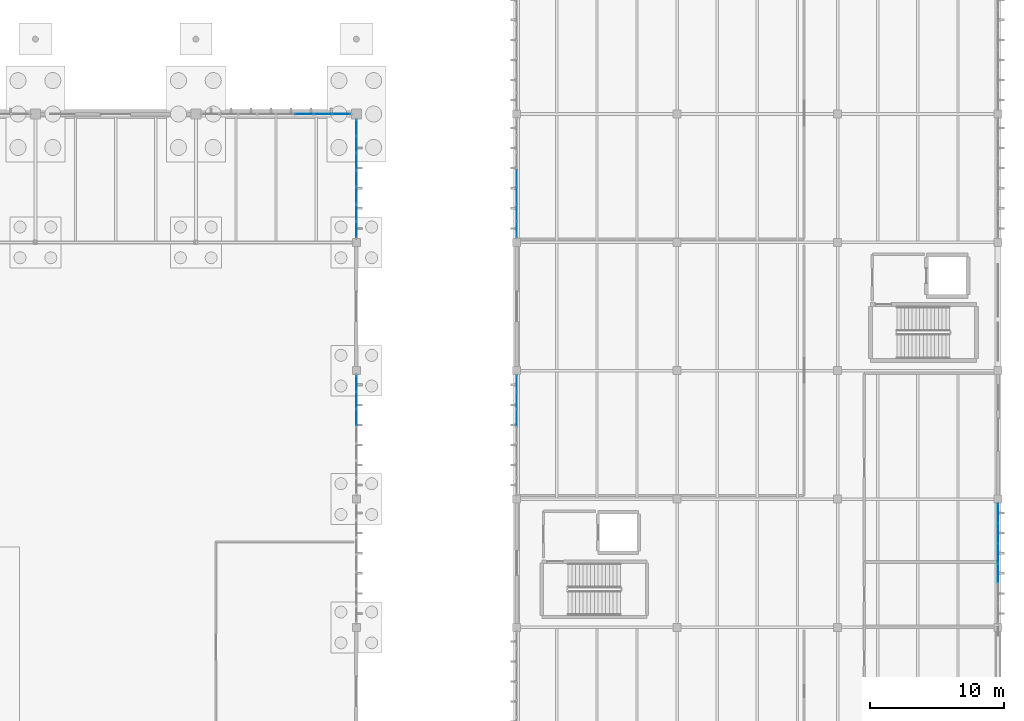
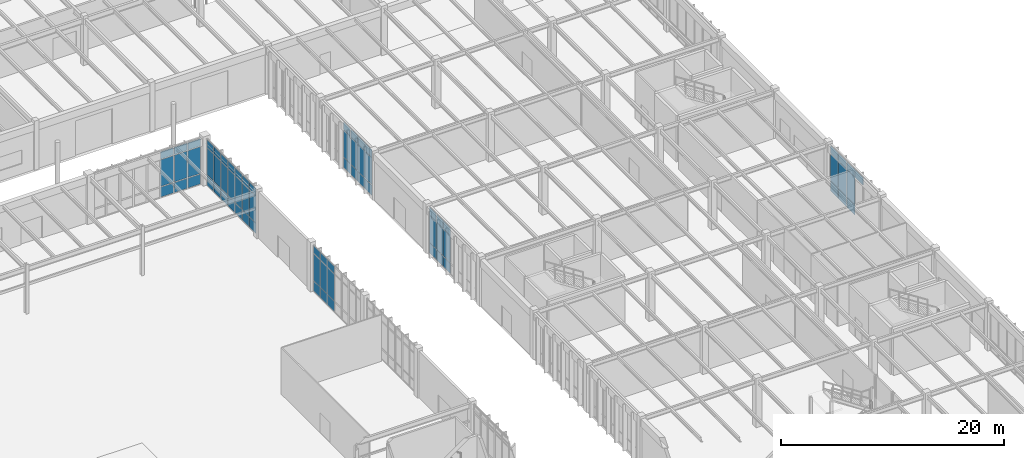
# One storey, part 143 of 188: 70 plates, 6 elements without a shape of their own.
"""IFC4 building model written with IfcOpenShell, lengths in metres."""

from ifc_helpers import new_model, si_unit, direction, frame, origin, origin_2d, place, context, subcontext, project, spatial, rectangle, extrude, material, layer, layer_set, type_object, element, aggregate, save


model = new_model("IFC4")

# Units and contexts
model_context = context("Model", 3, precision=1e-05, world=origin(), true_north=direction((0.0, 1.0)))
body_context = subcontext(model_context, "Body", "Model", "MODEL_VIEW")
ifc_project = project(units=[si_unit("LENGTHUNIT", "METRE"), si_unit("AREAUNIT", "SQUARE_METRE"), si_unit("VOLUMEUNIT", "CUBIC_METRE"), si_unit("PLANEANGLEUNIT", "RADIAN"), si_unit("MASSUNIT", "GRAM", prefix="KILO")], contexts=[model_context])

# Site, building, storey
site_placement = place(None, origin())
site = spatial("IfcSite", under=ifc_project, at=site_placement, CompositionType="ELEMENT")
building_placement = place(site_placement, origin())
building = spatial("IfcBuilding", under=site, at=building_placement, Name="Pandanus Reach Market Hall", CompositionType="ELEMENT")
storey_placement = place(building_placement, origin())
storey = spatial("IfcBuildingStorey", under=building, at=storey_placement, Name="L00", CompositionType="ELEMENT", Elevation=0.0)

# Curtain wall, plates
ifc_material_1 = material(Name="Bronze anodised aluminium and low-E glass", Category="aluminium")
ifc_layer_1 = layer(ifc_material_1, 0.159912109375, Name="CW-25")
ifc_layer_set_1 = layer_set([ifc_layer_1], Name="Bronze anodised aluminium and low-E glass")
curtain_wall_type_1 = type_object("IfcCurtainWallType", Name="CW-25", PredefinedType="NOTDEFINED", material=ifc_layer_set_1)
curtain_wall_1_placement = place(storey_placement, origin())
curtain_wall_1 = element("IfcCurtainWall", 1, at=curtain_wall_1_placement, inside=storey, type_object=curtain_wall_type_1, Name="Glazed curtain wall CW-25 CW-0072", PredefinedType="NOTDEFINED")
ifc_material_2 = material(Name="Solar-control double glazing", Category="glass")
ifc_layer_2 = layer(ifc_material_2, 0.028076171875, Name="CW-P1")
ifc_layer_set_2 = layer_set([ifc_layer_2], Name="Solar-control double glazing")
plate_type_1 = type_object("IfcPlateType", Name="CW-P1", PredefinedType="CURTAIN_PANEL", material=ifc_layer_set_2)
plate_1_placement = place(storey_placement, frame((180.0, 52.050048828125, 4.232421875), z_axis=(0.0, 0.0, 1.0), x_axis=(0.0, 1.0, 0.0)))
plate_1 = element("IfcPlate", 2, at=plate_1_placement, type_object=plate_type_1, Name="CW-25 panel 3.3", PredefinedType="CURTAIN_PANEL", context=body_context, shape_type="SweptSolid", body=[
    extrude(rectangle(XDim=1.43505859375, YDim=0.028076171875, at=origin_2d()), origin(), (0.0, 0.0, 1.0), 0.802490234375),
])
plate_2_placement = place(storey_placement, frame((180.0, 53.550048828125, 0.06494140625), z_axis=(0.0, 0.0, 1.0), x_axis=(0.0, 1.0, 0.0)))
plate_2 = element("IfcPlate", 3, at=plate_2_placement, type_object=plate_type_1, Name="CW-25 panel 4.1", PredefinedType="CURTAIN_PANEL", context=body_context, shape_type="SweptSolid", body=[
    extrude(rectangle(XDim=1.43505859375, YDim=0.028076171875, at=origin_2d()), origin(), (0.0, 0.0, 1.0), 1.1025390625),
])
plate_3_placement = place(storey_placement, frame((180.0, 53.550048828125, 1.232421875), z_axis=(0.0, 0.0, 1.0), x_axis=(0.0, 1.0, 0.0)))
plate_3 = element("IfcPlate", 4, at=plate_3_placement, type_object=plate_type_1, Name="CW-25 panel 4.2", PredefinedType="CURTAIN_PANEL", context=body_context, shape_type="SweptSolid", body=[
    extrude(rectangle(XDim=1.43505859375, YDim=0.028076171875, at=origin_2d()), origin(), (0.0, 0.0, 1.0), 2.93505859375),
])
plate_4_placement = place(storey_placement, frame((180.0, 53.550048828125, 4.232421875), z_axis=(0.0, 0.0, 1.0), x_axis=(0.0, 1.0, 0.0)))
plate_4 = element("IfcPlate", 5, at=plate_4_placement, type_object=plate_type_1, Name="CW-25 panel 4.3", PredefinedType="CURTAIN_PANEL", context=body_context, shape_type="SweptSolid", body=[
    extrude(rectangle(XDim=1.43505859375, YDim=0.028076171875, at=origin_2d()), origin(), (0.0, 0.0, 1.0), 0.802490234375),
])
plate_5_placement = place(storey_placement, frame((180.0, 55.050048828125, 0.06494140625), z_axis=(0.0, 0.0, 1.0), x_axis=(0.0, 1.0, 0.0)))
plate_5 = element("IfcPlate", 6, at=plate_5_placement, type_object=plate_type_1, Name="CW-25 panel 5.1", PredefinedType="CURTAIN_PANEL", context=body_context, shape_type="SweptSolid", body=[
    extrude(rectangle(XDim=1.43505859375, YDim=0.028076171875, at=origin_2d()), origin(), (0.0, 0.0, 1.0), 1.1025390625),
])
plate_6_placement = place(storey_placement, frame((180.0, 55.050048828125, 1.232421875), z_axis=(0.0, 0.0, 1.0), x_axis=(0.0, 1.0, 0.0)))
plate_6 = element("IfcPlate", 7, at=plate_6_placement, type_object=plate_type_1, Name="CW-25 panel 5.2", PredefinedType="CURTAIN_PANEL", context=body_context, shape_type="SweptSolid", body=[
    extrude(rectangle(XDim=1.43505859375, YDim=0.028076171875, at=origin_2d()), origin(), (0.0, 0.0, 1.0), 2.93505859375),
])
plate_7_placement = place(storey_placement, frame((180.0, 55.050048828125, 4.232421875), z_axis=(0.0, 0.0, 1.0), x_axis=(0.0, 1.0, 0.0)))
plate_7 = element("IfcPlate", 8, at=plate_7_placement, type_object=plate_type_1, Name="CW-25 panel 5.3", PredefinedType="CURTAIN_PANEL", context=body_context, shape_type="SweptSolid", body=[
    extrude(rectangle(XDim=1.43505859375, YDim=0.028076171875, at=origin_2d()), origin(), (0.0, 0.0, 1.0), 0.802490234375),
])
plate_8_placement = place(storey_placement, frame((180.0, 56.53369140625, 0.06494140625), z_axis=(0.0, 0.0, 1.0), x_axis=(0.0, 1.0, 0.0)))
plate_8 = element("IfcPlate", 9, at=plate_8_placement, type_object=plate_type_1, Name="CW-25 panel 6.1", PredefinedType="CURTAIN_PANEL", context=body_context, shape_type="SweptSolid", body=[
    extrude(rectangle(XDim=1.402587890625, YDim=0.028076171875, at=origin_2d()), origin(), (0.0, 0.0, 1.0), 1.1025390625),
])
plate_9_placement = place(storey_placement, frame((180.0, 56.53369140625, 1.232421875), z_axis=(0.0, 0.0, 1.0), x_axis=(0.0, 1.0, 0.0)))
plate_9 = element("IfcPlate", 10, at=plate_9_placement, type_object=plate_type_1, Name="CW-25 panel 6.2", PredefinedType="CURTAIN_PANEL", context=body_context, shape_type="SweptSolid", body=[
    extrude(rectangle(XDim=1.402587890625, YDim=0.028076171875, at=origin_2d()), origin(), (0.0, 0.0, 1.0), 2.93505859375),
])
plate_10_placement = place(storey_placement, frame((180.0, 56.53369140625, 4.232421875), z_axis=(0.0, 0.0, 1.0), x_axis=(0.0, 1.0, 0.0)))
plate_10 = element("IfcPlate", 11, at=plate_10_placement, type_object=plate_type_1, Name="CW-25 panel 6.3", PredefinedType="CURTAIN_PANEL", context=body_context, shape_type="SweptSolid", body=[
    extrude(rectangle(XDim=1.402587890625, YDim=0.028076171875, at=origin_2d()), origin(), (0.0, 0.0, 1.0), 0.802490234375),
])
aggregate(curtain_wall_1, [plate_1, plate_2, plate_3, plate_4, plate_5, plate_6, plate_7, plate_8, plate_9, plate_10])

ifc_layer_3 = layer(ifc_material_1, 0.159912109375, Name="CW-26")
ifc_layer_set_3 = layer_set([ifc_layer_3], Name="Bronze anodised aluminium and low-E glass")
curtain_wall_type_2 = type_object("IfcCurtainWallType", Name="CW-26", PredefinedType="NOTDEFINED", material=ifc_layer_set_3)
curtain_wall_2_placement = place(storey_placement, origin())
curtain_wall_2 = element("IfcCurtainWall", 12, at=curtain_wall_2_placement, inside=storey, type_object=curtain_wall_type_2, Name="Glazed curtain wall CW-26 CW-0079", PredefinedType="NOTDEFINED")
plate_11_placement = place(storey_placement, frame((144.0, 63.685791015625, 0.06494140625), z_axis=(0.0, 0.0, 1.0), x_axis=(0.0, 1.0, 0.0)))
plate_11 = element("IfcPlate", 13, at=plate_11_placement, type_object=plate_type_1, Name="CW-26 panel 5.1", PredefinedType="CURTAIN_PANEL", context=body_context, shape_type="SweptSolid", body=[
    extrude(rectangle(XDim=1.220703125, YDim=0.028076171875, at=origin_2d()), origin(), (0.0, 0.0, 1.0), 1.1025390625),
])
plate_12_placement = place(storey_placement, frame((144.0, 63.685791015625, 1.232421875), z_axis=(0.0, 0.0, 1.0), x_axis=(0.0, 1.0, 0.0)))
plate_12 = element("IfcPlate", 14, at=plate_12_placement, type_object=plate_type_1, Name="CW-26 panel 5.2", PredefinedType="CURTAIN_PANEL", context=body_context, shape_type="SweptSolid", body=[
    extrude(rectangle(XDim=1.220703125, YDim=0.028076171875, at=origin_2d()), origin(), (0.0, 0.0, 1.0), 2.93505859375),
])
plate_13_placement = place(storey_placement, frame((144.0, 63.685791015625, 4.232421875), z_axis=(0.0, 0.0, 1.0), x_axis=(0.0, 1.0, 0.0)))
plate_13 = element("IfcPlate", 15, at=plate_13_placement, type_object=plate_type_1, Name="CW-26 panel 5.3", PredefinedType="CURTAIN_PANEL", context=body_context, shape_type="SweptSolid", body=[
    extrude(rectangle(XDim=1.220703125, YDim=0.028076171875, at=origin_2d()), origin(), (0.0, 0.0, 1.0), 0.802490234375),
])
plate_14_placement = place(storey_placement, frame((144.0, 64.971435546875, 0.06494140625), z_axis=(0.0, 0.0, 1.0), x_axis=(0.0, 1.0, 0.0)))
plate_14 = element("IfcPlate", 16, at=plate_14_placement, type_object=plate_type_1, Name="CW-26 panel 6.1", PredefinedType="CURTAIN_PANEL", context=body_context, shape_type="SweptSolid", body=[
    extrude(rectangle(XDim=1.220703125, YDim=0.028076171875, at=origin_2d()), origin(), (0.0, 0.0, 1.0), 1.1025390625),
])
plate_15_placement = place(storey_placement, frame((144.0, 64.971435546875, 1.232421875), z_axis=(0.0, 0.0, 1.0), x_axis=(0.0, 1.0, 0.0)))
plate_15 = element("IfcPlate", 17, at=plate_15_placement, type_object=plate_type_1, Name="CW-26 panel 6.2", PredefinedType="CURTAIN_PANEL", context=body_context, shape_type="SweptSolid", body=[
    extrude(rectangle(XDim=1.220703125, YDim=0.028076171875, at=origin_2d()), origin(), (0.0, 0.0, 1.0), 2.93505859375),
])
plate_16_placement = place(storey_placement, frame((144.0, 64.971435546875, 4.232421875), z_axis=(0.0, 0.0, 1.0), x_axis=(0.0, 1.0, 0.0)))
plate_16 = element("IfcPlate", 18, at=plate_16_placement, type_object=plate_type_1, Name="CW-26 panel 6.3", PredefinedType="CURTAIN_PANEL", context=body_context, shape_type="SweptSolid", body=[
    extrude(rectangle(XDim=1.220703125, YDim=0.028076171875, at=origin_2d()), origin(), (0.0, 0.0, 1.0), 0.802490234375),
])
plate_17_placement = place(storey_placement, frame((144.0, 66.240966796875, 0.06494140625), z_axis=(0.0, 0.0, 1.0), x_axis=(0.0, 1.0, 0.0)))
plate_17 = element("IfcPlate", 19, at=plate_17_placement, type_object=plate_type_1, Name="CW-26 panel 7.1", PredefinedType="CURTAIN_PANEL", context=body_context, shape_type="SweptSolid", body=[
    extrude(rectangle(XDim=1.188232421875, YDim=0.028076171875, at=origin_2d()), origin(), (0.0, 0.0, 1.0), 1.1025390625),
])
plate_18_placement = place(storey_placement, frame((144.0, 66.240966796875, 1.232421875), z_axis=(0.0, 0.0, 1.0), x_axis=(0.0, 1.0, 0.0)))
plate_18 = element("IfcPlate", 20, at=plate_18_placement, type_object=plate_type_1, Name="CW-26 panel 7.2", PredefinedType="CURTAIN_PANEL", context=body_context, shape_type="SweptSolid", body=[
    extrude(rectangle(XDim=1.188232421875, YDim=0.028076171875, at=origin_2d()), origin(), (0.0, 0.0, 1.0), 2.93505859375),
])
plate_19_placement = place(storey_placement, frame((144.0, 66.240966796875, 4.232421875), z_axis=(0.0, 0.0, 1.0), x_axis=(0.0, 1.0, 0.0)))
plate_19 = element("IfcPlate", 21, at=plate_19_placement, type_object=plate_type_1, Name="CW-26 panel 7.3", PredefinedType="CURTAIN_PANEL", context=body_context, shape_type="SweptSolid", body=[
    extrude(rectangle(XDim=1.188232421875, YDim=0.028076171875, at=origin_2d()), origin(), (0.0, 0.0, 1.0), 0.802490234375),
])
aggregate(curtain_wall_2, [plate_11, plate_12, plate_13, plate_14, plate_15, plate_16, plate_17, plate_18, plate_19])

curtain_wall_3_placement = place(storey_placement, origin())
curtain_wall_3 = element("IfcCurtainWall", 22, at=curtain_wall_3_placement, inside=storey, type_object=curtain_wall_type_2, Name="Glazed curtain wall CW-26 CW-0080", PredefinedType="NOTDEFINED")
plate_20_placement = place(storey_placement, frame((144.0, 77.759033203125, 0.06494140625), z_axis=(0.0, 0.0, 1.0), x_axis=(0.0, 1.0, 0.0)))
plate_20 = element("IfcPlate", 23, at=plate_20_placement, type_object=plate_type_1, Name="CW-26 panel 1.1", PredefinedType="CURTAIN_PANEL", context=body_context, shape_type="SweptSolid", body=[
    extrude(rectangle(XDim=1.188232421875, YDim=0.028076171875, at=origin_2d()), origin(), (0.0, 0.0, 1.0), 1.1025390625),
])
plate_21_placement = place(storey_placement, frame((144.0, 77.759033203125, 1.232421875), z_axis=(0.0, 0.0, 1.0), x_axis=(0.0, 1.0, 0.0)))
plate_21 = element("IfcPlate", 24, at=plate_21_placement, type_object=plate_type_1, Name="CW-26 panel 1.2", PredefinedType="CURTAIN_PANEL", context=body_context, shape_type="SweptSolid", body=[
    extrude(rectangle(XDim=1.188232421875, YDim=0.028076171875, at=origin_2d()), origin(), (0.0, 0.0, 1.0), 2.93505859375),
])
plate_22_placement = place(storey_placement, frame((144.0, 77.759033203125, 4.232421875), z_axis=(0.0, 0.0, 1.0), x_axis=(0.0, 1.0, 0.0)))
plate_22 = element("IfcPlate", 25, at=plate_22_placement, type_object=plate_type_1, Name="CW-26 panel 1.3", PredefinedType="CURTAIN_PANEL", context=body_context, shape_type="SweptSolid", body=[
    extrude(rectangle(XDim=1.188232421875, YDim=0.028076171875, at=origin_2d()), origin(), (0.0, 0.0, 1.0), 0.802490234375),
])
plate_23_placement = place(storey_placement, frame((144.0, 79.028564453125, 0.06494140625), z_axis=(0.0, 0.0, 1.0), x_axis=(0.0, 1.0, 0.0)))
plate_23 = element("IfcPlate", 26, at=plate_23_placement, type_object=plate_type_1, Name="CW-26 panel 2.1", PredefinedType="CURTAIN_PANEL", context=body_context, shape_type="SweptSolid", body=[
    extrude(rectangle(XDim=1.220703125, YDim=0.028076171875, at=origin_2d()), origin(), (0.0, 0.0, 1.0), 1.1025390625),
])
plate_24_placement = place(storey_placement, frame((144.0, 79.028564453125, 1.232421875), z_axis=(0.0, 0.0, 1.0), x_axis=(0.0, 1.0, 0.0)))
plate_24 = element("IfcPlate", 27, at=plate_24_placement, type_object=plate_type_1, Name="CW-26 panel 2.2", PredefinedType="CURTAIN_PANEL", context=body_context, shape_type="SweptSolid", body=[
    extrude(rectangle(XDim=1.220703125, YDim=0.028076171875, at=origin_2d()), origin(), (0.0, 0.0, 1.0), 2.93505859375),
])
plate_25_placement = place(storey_placement, frame((144.0, 79.028564453125, 4.232421875), z_axis=(0.0, 0.0, 1.0), x_axis=(0.0, 1.0, 0.0)))
plate_25 = element("IfcPlate", 28, at=plate_25_placement, type_object=plate_type_1, Name="CW-26 panel 2.3", PredefinedType="CURTAIN_PANEL", context=body_context, shape_type="SweptSolid", body=[
    extrude(rectangle(XDim=1.220703125, YDim=0.028076171875, at=origin_2d()), origin(), (0.0, 0.0, 1.0), 0.802490234375),
])
plate_26_placement = place(storey_placement, frame((144.0, 80.314208984375, 0.06494140625), z_axis=(0.0, 0.0, 1.0), x_axis=(0.0, 1.0, 0.0)))
plate_26 = element("IfcPlate", 29, at=plate_26_placement, type_object=plate_type_1, Name="CW-26 panel 3.1", PredefinedType="CURTAIN_PANEL", context=body_context, shape_type="SweptSolid", body=[
    extrude(rectangle(XDim=1.220703125, YDim=0.028076171875, at=origin_2d()), origin(), (0.0, 0.0, 1.0), 1.1025390625),
])
plate_27_placement = place(storey_placement, frame((144.0, 80.314208984375, 1.232421875), z_axis=(0.0, 0.0, 1.0), x_axis=(0.0, 1.0, 0.0)))
plate_27 = element("IfcPlate", 30, at=plate_27_placement, type_object=plate_type_1, Name="CW-26 panel 3.2", PredefinedType="CURTAIN_PANEL", context=body_context, shape_type="SweptSolid", body=[
    extrude(rectangle(XDim=1.220703125, YDim=0.028076171875, at=origin_2d()), origin(), (0.0, 0.0, 1.0), 2.93505859375),
])
plate_28_placement = place(storey_placement, frame((144.0, 80.314208984375, 4.232421875), z_axis=(0.0, 0.0, 1.0), x_axis=(0.0, 1.0, 0.0)))
plate_28 = element("IfcPlate", 31, at=plate_28_placement, type_object=plate_type_1, Name="CW-26 panel 3.3", PredefinedType="CURTAIN_PANEL", context=body_context, shape_type="SweptSolid", body=[
    extrude(rectangle(XDim=1.220703125, YDim=0.028076171875, at=origin_2d()), origin(), (0.0, 0.0, 1.0), 0.802490234375),
])
plate_29_placement = place(storey_placement, frame((144.0, 81.60009765625, 0.06494140625), z_axis=(0.0, 0.0, 1.0), x_axis=(0.0, 1.0, 0.0)))
plate_29 = element("IfcPlate", 32, at=plate_29_placement, type_object=plate_type_1, Name="CW-26 panel 4.1", PredefinedType="CURTAIN_PANEL", context=body_context, shape_type="SweptSolid", body=[
    extrude(rectangle(XDim=1.220703125, YDim=0.028076171875, at=origin_2d()), origin(), (0.0, 0.0, 1.0), 1.1025390625),
])
plate_30_placement = place(storey_placement, frame((144.0, 81.60009765625, 1.232421875), z_axis=(0.0, 0.0, 1.0), x_axis=(0.0, 1.0, 0.0)))
plate_30 = element("IfcPlate", 33, at=plate_30_placement, type_object=plate_type_1, Name="CW-26 panel 4.2", PredefinedType="CURTAIN_PANEL", context=body_context, shape_type="SweptSolid", body=[
    extrude(rectangle(XDim=1.220703125, YDim=0.028076171875, at=origin_2d()), origin(), (0.0, 0.0, 1.0), 2.93505859375),
])
plate_31_placement = place(storey_placement, frame((144.0, 81.60009765625, 4.232421875), z_axis=(0.0, 0.0, 1.0), x_axis=(0.0, 1.0, 0.0)))
plate_31 = element("IfcPlate", 34, at=plate_31_placement, type_object=plate_type_1, Name="CW-26 panel 4.3", PredefinedType="CURTAIN_PANEL", context=body_context, shape_type="SweptSolid", body=[
    extrude(rectangle(XDim=1.220703125, YDim=0.028076171875, at=origin_2d()), origin(), (0.0, 0.0, 1.0), 0.802490234375),
])
aggregate(curtain_wall_3, [plate_20, plate_21, plate_22, plate_23, plate_24, plate_25, plate_26, plate_27, plate_28, plate_29, plate_30, plate_31])

ifc_layer_4 = layer(ifc_material_1, 0.199951171875, Name="CW-01")
ifc_layer_set_4 = layer_set([ifc_layer_4], Name="Bronze anodised aluminium and low-E glass")
curtain_wall_type_3 = type_object("IfcCurtainWallType", Name="CW-01", PredefinedType="NOTDEFINED", material=ifc_layer_set_4)
curtain_wall_4_placement = place(storey_placement, origin())
curtain_wall_4 = element("IfcCurtainWall", 35, at=curtain_wall_4_placement, inside=storey, type_object=curtain_wall_type_3, Name="Glazed curtain wall CW-01 CW-0017", PredefinedType="NOTDEFINED")
ifc_material_3 = material(Name="Acoustic laminated solar double glazing", Category="glass")
ifc_layer_5 = layer(ifc_material_3, 0.031982421875, Name="CW-P2")
ifc_layer_set_5 = layer_set([ifc_layer_5], Name="Acoustic laminated solar double glazing")
plate_type_2 = type_object("IfcPlateType", Name="CW-P2", PredefinedType="CURTAIN_PANEL", material=ifc_layer_set_5)
plate_32_placement = place(storey_placement, frame((128.109375, 86.39990234375, 0.074951171875), z_axis=(0.0, 0.0, 1.0), x_axis=(1.0, 0.0, 0.0)))
plate_32 = element("IfcPlate", 36, at=plate_32_placement, type_object=plate_type_2, Name="CW-01 panel 6.1", PredefinedType="CURTAIN_PANEL", context=body_context, shape_type="SweptSolid", body=[
    extrude(rectangle(XDim=1.331298828125, YDim=0.031982421875, at=origin_2d()), origin(), (0.0, 0.0, 1.0), 1.08740234375),
])
plate_33_placement = place(storey_placement, frame((128.109375, 86.39990234375, 1.2373046875), z_axis=(0.0, 0.0, 1.0), x_axis=(1.0, 0.0, 0.0)))
plate_33 = element("IfcPlate", 37, at=plate_33_placement, type_object=plate_type_2, Name="CW-01 panel 6.2", PredefinedType="CURTAIN_PANEL", context=body_context, shape_type="SweptSolid", body=[
    extrude(rectangle(XDim=1.331298828125, YDim=0.031982421875, at=origin_2d()), origin(), (0.0, 0.0, 1.0), 2.925048828125),
])
plate_34_placement = place(storey_placement, frame((128.109375, 86.39990234375, 4.237548828125), z_axis=(0.0, 0.0, 1.0), x_axis=(1.0, 0.0, 0.0)))
plate_34 = element("IfcPlate", 38, at=plate_34_placement, type_object=plate_type_2, Name="CW-01 panel 6.3", PredefinedType="CURTAIN_PANEL", context=body_context, shape_type="SweptSolid", body=[
    extrude(rectangle(XDim=1.331298828125, YDim=0.031982421875, at=origin_2d()), origin(), (0.0, 0.0, 1.0), 0.78759765625),
])
plate_35_placement = place(storey_placement, frame((129.515625, 86.39990234375, 0.074951171875), z_axis=(0.0, 0.0, 1.0), x_axis=(1.0, 0.0, 0.0)))
plate_35 = element("IfcPlate", 39, at=plate_35_placement, type_object=plate_type_2, Name="CW-01 panel 7.1", PredefinedType="CURTAIN_PANEL", context=body_context, shape_type="SweptSolid", body=[
    extrude(rectangle(XDim=1.331298828125, YDim=0.031982421875, at=origin_2d()), origin(), (0.0, 0.0, 1.0), 1.08740234375),
])
plate_36_placement = place(storey_placement, frame((129.515625, 86.39990234375, 1.2373046875), z_axis=(0.0, 0.0, 1.0), x_axis=(1.0, 0.0, 0.0)))
plate_36 = element("IfcPlate", 40, at=plate_36_placement, type_object=plate_type_2, Name="CW-01 panel 7.2", PredefinedType="CURTAIN_PANEL", context=body_context, shape_type="SweptSolid", body=[
    extrude(rectangle(XDim=1.331298828125, YDim=0.031982421875, at=origin_2d()), origin(), (0.0, 0.0, 1.0), 2.925048828125),
])
plate_37_placement = place(storey_placement, frame((129.515625, 86.39990234375, 4.237548828125), z_axis=(0.0, 0.0, 1.0), x_axis=(1.0, 0.0, 0.0)))
plate_37 = element("IfcPlate", 41, at=plate_37_placement, type_object=plate_type_2, Name="CW-01 panel 7.3", PredefinedType="CURTAIN_PANEL", context=body_context, shape_type="SweptSolid", body=[
    extrude(rectangle(XDim=1.331298828125, YDim=0.031982421875, at=origin_2d()), origin(), (0.0, 0.0, 1.0), 0.78759765625),
])
plate_38_placement = place(storey_placement, frame((130.903076171875, 86.39990234375, 0.074951171875), z_axis=(0.0, 0.0, 1.0), x_axis=(1.0, 0.0, 0.0)))
plate_38 = element("IfcPlate", 42, at=plate_38_placement, type_object=plate_type_2, Name="CW-01 panel 8.1", PredefinedType="CURTAIN_PANEL", context=body_context, shape_type="SweptSolid", body=[
    extrude(rectangle(XDim=1.293701171875, YDim=0.031982421875, at=origin_2d()), origin(), (0.0, 0.0, 1.0), 1.08740234375),
])
plate_39_placement = place(storey_placement, frame((130.903076171875, 86.39990234375, 1.2373046875), z_axis=(0.0, 0.0, 1.0), x_axis=(1.0, 0.0, 0.0)))
plate_39 = element("IfcPlate", 43, at=plate_39_placement, type_object=plate_type_2, Name="CW-01 panel 8.2", PredefinedType="CURTAIN_PANEL", context=body_context, shape_type="SweptSolid", body=[
    extrude(rectangle(XDim=1.293701171875, YDim=0.031982421875, at=origin_2d()), origin(), (0.0, 0.0, 1.0), 2.925048828125),
])
plate_40_placement = place(storey_placement, frame((130.903076171875, 86.39990234375, 4.237548828125), z_axis=(0.0, 0.0, 1.0), x_axis=(1.0, 0.0, 0.0)))
plate_40 = element("IfcPlate", 44, at=plate_40_placement, type_object=plate_type_2, Name="CW-01 panel 8.3", PredefinedType="CURTAIN_PANEL", context=body_context, shape_type="SweptSolid", body=[
    extrude(rectangle(XDim=1.293701171875, YDim=0.031982421875, at=origin_2d()), origin(), (0.0, 0.0, 1.0), 0.78759765625),
])
aggregate(curtain_wall_4, [plate_32, plate_33, plate_34, plate_35, plate_36, plate_37, plate_38, plate_39, plate_40])

ifc_layer_6 = layer(ifc_material_1, 0.199951171875, Name="CW-06")
ifc_layer_set_6 = layer_set([ifc_layer_6], Name="Bronze anodised aluminium and low-E glass")
curtain_wall_type_4 = type_object("IfcCurtainWallType", Name="CW-06", PredefinedType="NOTDEFINED", material=ifc_layer_set_6)
curtain_wall_5_placement = place(storey_placement, origin())
curtain_wall_5 = element("IfcCurtainWall", 45, at=curtain_wall_5_placement, inside=storey, type_object=curtain_wall_type_4, Name="Glazed curtain wall CW-06 CW-0030", PredefinedType="NOTDEFINED")
plate_41_placement = place(storey_placement, frame((132.0, 63.685791015625, 0.074951171875), z_axis=(0.0, 0.0, 1.0), x_axis=(0.0, 1.0, 0.0)))
plate_41 = element("IfcPlate", 46, at=plate_41_placement, type_object=plate_type_2, Name="CW-06 panel 5.1", PredefinedType="CURTAIN_PANEL", context=body_context, shape_type="SweptSolid", body=[
    extrude(rectangle(XDim=1.210693359375, YDim=0.031982421875, at=origin_2d()), origin(), (0.0, 0.0, 1.0), 1.08740234375),
])
plate_42_placement = place(storey_placement, frame((132.0, 63.685791015625, 1.2373046875), z_axis=(0.0, 0.0, 1.0), x_axis=(0.0, 1.0, 0.0)))
plate_42 = element("IfcPlate", 47, at=plate_42_placement, type_object=plate_type_2, Name="CW-06 panel 5.2", PredefinedType="CURTAIN_PANEL", context=body_context, shape_type="SweptSolid", body=[
    extrude(rectangle(XDim=1.210693359375, YDim=0.031982421875, at=origin_2d()), origin(), (0.0, 0.0, 1.0), 2.925048828125),
])
plate_43_placement = place(storey_placement, frame((132.0, 63.685791015625, 4.237548828125), z_axis=(0.0, 0.0, 1.0), x_axis=(0.0, 1.0, 0.0)))
plate_43 = element("IfcPlate", 48, at=plate_43_placement, type_object=plate_type_2, Name="CW-06 panel 5.3", PredefinedType="CURTAIN_PANEL", context=body_context, shape_type="SweptSolid", body=[
    extrude(rectangle(XDim=1.210693359375, YDim=0.031982421875, at=origin_2d()), origin(), (0.0, 0.0, 1.0), 0.78759765625),
])
plate_44_placement = place(storey_placement, frame((132.0, 64.971435546875, 0.074951171875), z_axis=(0.0, 0.0, 1.0), x_axis=(0.0, 1.0, 0.0)))
plate_44 = element("IfcPlate", 49, at=plate_44_placement, type_object=plate_type_2, Name="CW-06 panel 6.1", PredefinedType="CURTAIN_PANEL", context=body_context, shape_type="SweptSolid", body=[
    extrude(rectangle(XDim=1.210693359375, YDim=0.031982421875, at=origin_2d()), origin(), (0.0, 0.0, 1.0), 1.08740234375),
])
plate_45_placement = place(storey_placement, frame((132.0, 64.971435546875, 1.2373046875), z_axis=(0.0, 0.0, 1.0), x_axis=(0.0, 1.0, 0.0)))
plate_45 = element("IfcPlate", 50, at=plate_45_placement, type_object=plate_type_2, Name="CW-06 panel 6.2", PredefinedType="CURTAIN_PANEL", context=body_context, shape_type="SweptSolid", body=[
    extrude(rectangle(XDim=1.210693359375, YDim=0.031982421875, at=origin_2d()), origin(), (0.0, 0.0, 1.0), 2.925048828125),
])
plate_46_placement = place(storey_placement, frame((132.0, 64.971435546875, 4.237548828125), z_axis=(0.0, 0.0, 1.0), x_axis=(0.0, 1.0, 0.0)))
plate_46 = element("IfcPlate", 51, at=plate_46_placement, type_object=plate_type_2, Name="CW-06 panel 6.3", PredefinedType="CURTAIN_PANEL", context=body_context, shape_type="SweptSolid", body=[
    extrude(rectangle(XDim=1.210693359375, YDim=0.031982421875, at=origin_2d()), origin(), (0.0, 0.0, 1.0), 0.78759765625),
])
plate_47_placement = place(storey_placement, frame((132.0, 66.23828125, 0.074951171875), z_axis=(0.0, 0.0, 1.0), x_axis=(0.0, 1.0, 0.0)))
plate_47 = element("IfcPlate", 52, at=plate_47_placement, type_object=plate_type_2, Name="CW-06 panel 7.1", PredefinedType="CURTAIN_PANEL", context=body_context, shape_type="SweptSolid", body=[
    extrude(rectangle(XDim=1.173095703125, YDim=0.031982421875, at=origin_2d()), origin(), (0.0, 0.0, 1.0), 1.08740234375),
])
plate_48_placement = place(storey_placement, frame((132.0, 66.23828125, 1.2373046875), z_axis=(0.0, 0.0, 1.0), x_axis=(0.0, 1.0, 0.0)))
plate_48 = element("IfcPlate", 53, at=plate_48_placement, type_object=plate_type_2, Name="CW-06 panel 7.2", PredefinedType="CURTAIN_PANEL", context=body_context, shape_type="SweptSolid", body=[
    extrude(rectangle(XDim=1.173095703125, YDim=0.031982421875, at=origin_2d()), origin(), (0.0, 0.0, 1.0), 2.925048828125),
])
plate_49_placement = place(storey_placement, frame((132.0, 66.23828125, 4.237548828125), z_axis=(0.0, 0.0, 1.0), x_axis=(0.0, 1.0, 0.0)))
plate_49 = element("IfcPlate", 54, at=plate_49_placement, type_object=plate_type_2, Name="CW-06 panel 7.3", PredefinedType="CURTAIN_PANEL", context=body_context, shape_type="SweptSolid", body=[
    extrude(rectangle(XDim=1.173095703125, YDim=0.031982421875, at=origin_2d()), origin(), (0.0, 0.0, 1.0), 0.78759765625),
])
aggregate(curtain_wall_5, [plate_41, plate_42, plate_43, plate_44, plate_45, plate_46, plate_47, plate_48, plate_49])

ifc_layer_7 = layer(ifc_material_1, 0.199951171875, Name="CW-03")
ifc_layer_set_7 = layer_set([ifc_layer_7], Name="Bronze anodised aluminium and low-E glass")
curtain_wall_type_5 = type_object("IfcCurtainWallType", Name="CW-03", PredefinedType="NOTDEFINED", material=ifc_layer_set_7)
curtain_wall_6_placement = place(storey_placement, origin())
curtain_wall_6 = element("IfcCurtainWall", 55, at=curtain_wall_6_placement, inside=storey, type_object=curtain_wall_type_5, Name="Glazed curtain wall CW-03 CW-0036", PredefinedType="NOTDEFINED")
plate_50_placement = place(storey_placement, frame((132.0, 77.75634765625, 0.074951171875), z_axis=(0.0, 0.0, 1.0), x_axis=(0.0, 1.0, 0.0)))
plate_50 = element("IfcPlate", 56, at=plate_50_placement, type_object=plate_type_2, Name="CW-03 panel 1.1", PredefinedType="CURTAIN_PANEL", context=body_context, shape_type="SweptSolid", body=[
    extrude(rectangle(XDim=1.16259765625, YDim=0.031982421875, at=origin_2d()), origin(), (0.0, 0.0, 1.0), 1.08740234375),
])
plate_51_placement = place(storey_placement, frame((132.0, 77.75634765625, 1.2373046875), z_axis=(0.0, 0.0, 1.0), x_axis=(0.0, 1.0, 0.0)))
plate_51 = element("IfcPlate", 57, at=plate_51_placement, type_object=plate_type_2, Name="CW-03 panel 1.2", PredefinedType="CURTAIN_PANEL", context=body_context, shape_type="SweptSolid", body=[
    extrude(rectangle(XDim=1.16259765625, YDim=0.031982421875, at=origin_2d()), origin(), (0.0, 0.0, 1.0), 2.925048828125),
])
plate_52_placement = place(storey_placement, frame((132.0, 77.75634765625, 4.237548828125), z_axis=(0.0, 0.0, 1.0), x_axis=(0.0, 1.0, 0.0)))
plate_52 = element("IfcPlate", 58, at=plate_52_placement, type_object=plate_type_2, Name="CW-03 panel 1.3", PredefinedType="CURTAIN_PANEL", context=body_context, shape_type="SweptSolid", body=[
    extrude(rectangle(XDim=1.16259765625, YDim=0.031982421875, at=origin_2d()), origin(), (0.0, 0.0, 1.0), 0.78759765625),
])
plate_53_placement = place(storey_placement, frame((132.0, 79.012451171875, 0.074951171875), z_axis=(0.0, 0.0, 1.0), x_axis=(0.0, 1.0, 0.0)))
plate_53 = element("IfcPlate", 59, at=plate_53_placement, type_object=plate_type_2, Name="CW-03 panel 2.1", PredefinedType="CURTAIN_PANEL", context=body_context, shape_type="SweptSolid", body=[
    extrude(rectangle(XDim=1.199951171875, YDim=0.031982421875, at=origin_2d()), origin(), (0.0, 0.0, 1.0), 1.08740234375),
])
plate_54_placement = place(storey_placement, frame((132.0, 79.012451171875, 1.2373046875), z_axis=(0.0, 0.0, 1.0), x_axis=(0.0, 1.0, 0.0)))
plate_54 = element("IfcPlate", 60, at=plate_54_placement, type_object=plate_type_2, Name="CW-03 panel 2.2", PredefinedType="CURTAIN_PANEL", context=body_context, shape_type="SweptSolid", body=[
    extrude(rectangle(XDim=1.199951171875, YDim=0.031982421875, at=origin_2d()), origin(), (0.0, 0.0, 1.0), 2.925048828125),
])
plate_55_placement = place(storey_placement, frame((132.0, 79.012451171875, 4.237548828125), z_axis=(0.0, 0.0, 1.0), x_axis=(0.0, 1.0, 0.0)))
plate_55 = element("IfcPlate", 61, at=plate_55_placement, type_object=plate_type_2, Name="CW-03 panel 2.3", PredefinedType="CURTAIN_PANEL", context=body_context, shape_type="SweptSolid", body=[
    extrude(rectangle(XDim=1.199951171875, YDim=0.031982421875, at=origin_2d()), origin(), (0.0, 0.0, 1.0), 0.78759765625),
])
plate_56_placement = place(storey_placement, frame((132.0, 80.28759765625, 0.074951171875), z_axis=(0.0, 0.0, 1.0), x_axis=(0.0, 1.0, 0.0)))
plate_56 = element("IfcPlate", 62, at=plate_56_placement, type_object=plate_type_2, Name="CW-03 panel 3.1", PredefinedType="CURTAIN_PANEL", context=body_context, shape_type="SweptSolid", body=[
    extrude(rectangle(XDim=1.199951171875, YDim=0.031982421875, at=origin_2d()), origin(), (0.0, 0.0, 1.0), 1.08740234375),
])
plate_57_placement = place(storey_placement, frame((132.0, 80.28759765625, 1.2373046875), z_axis=(0.0, 0.0, 1.0), x_axis=(0.0, 1.0, 0.0)))
plate_57 = element("IfcPlate", 63, at=plate_57_placement, type_object=plate_type_2, Name="CW-03 panel 3.2", PredefinedType="CURTAIN_PANEL", context=body_context, shape_type="SweptSolid", body=[
    extrude(rectangle(XDim=1.199951171875, YDim=0.031982421875, at=origin_2d()), origin(), (0.0, 0.0, 1.0), 2.925048828125),
])
plate_58_placement = place(storey_placement, frame((132.0, 80.28759765625, 4.237548828125), z_axis=(0.0, 0.0, 1.0), x_axis=(0.0, 1.0, 0.0)))
plate_58 = element("IfcPlate", 64, at=plate_58_placement, type_object=plate_type_2, Name="CW-03 panel 3.3", PredefinedType="CURTAIN_PANEL", context=body_context, shape_type="SweptSolid", body=[
    extrude(rectangle(XDim=1.199951171875, YDim=0.031982421875, at=origin_2d()), origin(), (0.0, 0.0, 1.0), 0.78759765625),
])
plate_59_placement = place(storey_placement, frame((132.0, 81.5625, 0.074951171875), z_axis=(0.0, 0.0, 1.0), x_axis=(0.0, 1.0, 0.0)))
plate_59 = element("IfcPlate", 65, at=plate_59_placement, type_object=plate_type_2, Name="CW-03 panel 4.1", PredefinedType="CURTAIN_PANEL", context=body_context, shape_type="SweptSolid", body=[
    extrude(rectangle(XDim=1.199951171875, YDim=0.031982421875, at=origin_2d()), origin(), (0.0, 0.0, 1.0), 1.08740234375),
])
plate_60_placement = place(storey_placement, frame((132.0, 81.5625, 1.2373046875), z_axis=(0.0, 0.0, 1.0), x_axis=(0.0, 1.0, 0.0)))
plate_60 = element("IfcPlate", 66, at=plate_60_placement, type_object=plate_type_2, Name="CW-03 panel 4.2", PredefinedType="CURTAIN_PANEL", context=body_context, shape_type="SweptSolid", body=[
    extrude(rectangle(XDim=1.199951171875, YDim=0.031982421875, at=origin_2d()), origin(), (0.0, 0.0, 1.0), 2.925048828125),
])
plate_61_placement = place(storey_placement, frame((132.0, 81.5625, 4.237548828125), z_axis=(0.0, 0.0, 1.0), x_axis=(0.0, 1.0, 0.0)))
plate_61 = element("IfcPlate", 67, at=plate_61_placement, type_object=plate_type_2, Name="CW-03 panel 4.3", PredefinedType="CURTAIN_PANEL", context=body_context, shape_type="SweptSolid", body=[
    extrude(rectangle(XDim=1.199951171875, YDim=0.031982421875, at=origin_2d()), origin(), (0.0, 0.0, 1.0), 0.78759765625),
])
plate_62_placement = place(storey_placement, frame((132.0, 82.83740234375, 0.074951171875), z_axis=(0.0, 0.0, 1.0), x_axis=(0.0, 1.0, 0.0)))
plate_62 = element("IfcPlate", 68, at=plate_62_placement, type_object=plate_type_2, Name="CW-03 panel 5.1", PredefinedType="CURTAIN_PANEL", context=body_context, shape_type="SweptSolid", body=[
    extrude(rectangle(XDim=1.199951171875, YDim=0.031982421875, at=origin_2d()), origin(), (0.0, 0.0, 1.0), 1.08740234375),
])
plate_63_placement = place(storey_placement, frame((132.0, 82.83740234375, 1.2373046875), z_axis=(0.0, 0.0, 1.0), x_axis=(0.0, 1.0, 0.0)))
plate_63 = element("IfcPlate", 69, at=plate_63_placement, type_object=plate_type_2, Name="CW-03 panel 5.2", PredefinedType="CURTAIN_PANEL", context=body_context, shape_type="SweptSolid", body=[
    extrude(rectangle(XDim=1.199951171875, YDim=0.031982421875, at=origin_2d()), origin(), (0.0, 0.0, 1.0), 2.925048828125),
])
plate_64_placement = place(storey_placement, frame((132.0, 82.83740234375, 4.237548828125), z_axis=(0.0, 0.0, 1.0), x_axis=(0.0, 1.0, 0.0)))
plate_64 = element("IfcPlate", 70, at=plate_64_placement, type_object=plate_type_2, Name="CW-03 panel 5.3", PredefinedType="CURTAIN_PANEL", context=body_context, shape_type="SweptSolid", body=[
    extrude(rectangle(XDim=1.199951171875, YDim=0.031982421875, at=origin_2d()), origin(), (0.0, 0.0, 1.0), 0.78759765625),
])
plate_65_placement = place(storey_placement, frame((132.0, 84.112548828125, 0.074951171875), z_axis=(0.0, 0.0, 1.0), x_axis=(0.0, 1.0, 0.0)))
plate_65 = element("IfcPlate", 71, at=plate_65_placement, type_object=plate_type_2, Name="CW-03 panel 6.1", PredefinedType="CURTAIN_PANEL", context=body_context, shape_type="SweptSolid", body=[
    extrude(rectangle(XDim=1.199951171875, YDim=0.031982421875, at=origin_2d()), origin(), (0.0, 0.0, 1.0), 1.08740234375),
])
plate_66_placement = place(storey_placement, frame((132.0, 84.112548828125, 1.2373046875), z_axis=(0.0, 0.0, 1.0), x_axis=(0.0, 1.0, 0.0)))
plate_66 = element("IfcPlate", 72, at=plate_66_placement, type_object=plate_type_2, Name="CW-03 panel 6.2", PredefinedType="CURTAIN_PANEL", context=body_context, shape_type="SweptSolid", body=[
    extrude(rectangle(XDim=1.199951171875, YDim=0.031982421875, at=origin_2d()), origin(), (0.0, 0.0, 1.0), 2.925048828125),
])
plate_67_placement = place(storey_placement, frame((132.0, 84.112548828125, 4.237548828125), z_axis=(0.0, 0.0, 1.0), x_axis=(0.0, 1.0, 0.0)))
plate_67 = element("IfcPlate", 73, at=plate_67_placement, type_object=plate_type_2, Name="CW-03 panel 6.3", PredefinedType="CURTAIN_PANEL", context=body_context, shape_type="SweptSolid", body=[
    extrude(rectangle(XDim=1.199951171875, YDim=0.031982421875, at=origin_2d()), origin(), (0.0, 0.0, 1.0), 0.78759765625),
])
plate_68_placement = place(storey_placement, frame((132.0, 85.36865234375, 0.074951171875), z_axis=(0.0, 0.0, 1.0), x_axis=(0.0, 1.0, 0.0)))
plate_68 = element("IfcPlate", 74, at=plate_68_placement, type_object=plate_type_2, Name="CW-03 panel 7.1", PredefinedType="CURTAIN_PANEL", context=body_context, shape_type="SweptSolid", body=[
    extrude(rectangle(XDim=1.16259765625, YDim=0.031982421875, at=origin_2d()), origin(), (0.0, 0.0, 1.0), 1.08740234375),
])
plate_69_placement = place(storey_placement, frame((132.0, 85.36865234375, 1.2373046875), z_axis=(0.0, 0.0, 1.0), x_axis=(0.0, 1.0, 0.0)))
plate_69 = element("IfcPlate", 75, at=plate_69_placement, type_object=plate_type_2, Name="CW-03 panel 7.2", PredefinedType="CURTAIN_PANEL", context=body_context, shape_type="SweptSolid", body=[
    extrude(rectangle(XDim=1.16259765625, YDim=0.031982421875, at=origin_2d()), origin(), (0.0, 0.0, 1.0), 2.925048828125),
])
plate_70_placement = place(storey_placement, frame((132.0, 85.36865234375, 4.237548828125), z_axis=(0.0, 0.0, 1.0), x_axis=(0.0, 1.0, 0.0)))
plate_70 = element("IfcPlate", 76, at=plate_70_placement, type_object=plate_type_2, Name="CW-03 panel 7.3", PredefinedType="CURTAIN_PANEL", context=body_context, shape_type="SweptSolid", body=[
    extrude(rectangle(XDim=1.16259765625, YDim=0.031982421875, at=origin_2d()), origin(), (0.0, 0.0, 1.0), 0.78759765625),
])
aggregate(curtain_wall_6, [plate_50, plate_51, plate_52, plate_53, plate_54, plate_55, plate_56, plate_57, plate_58, plate_59, plate_60, plate_61, plate_62, plate_63, plate_64, plate_65, plate_66, plate_67, plate_68, plate_69, plate_70])

save(model, "model.ifc")
